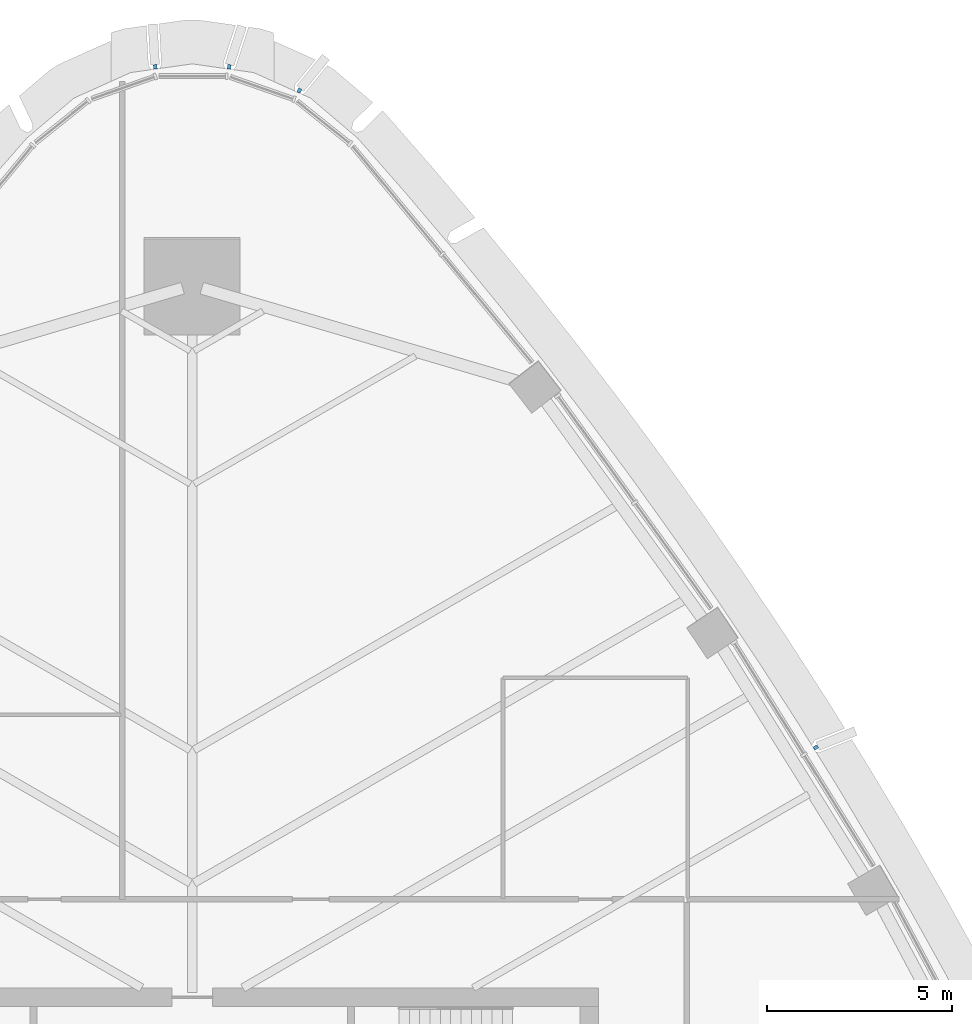
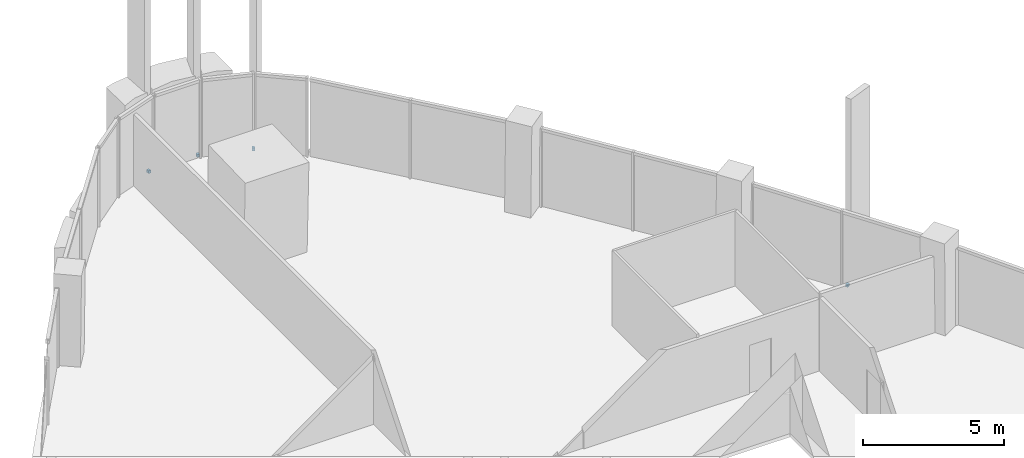
# One storey, part 15 of 19: 4 discrete accessories.
"""IFC4 building model written with IfcOpenShell, lengths in metres."""

from ifc_helpers import new_model, si_unit, direction, frame, origin, origin_2d, place, context, subcontext, project, spatial, rectangle, extrude, material, type_object, element, save


model = new_model("IFC4")

# Units and contexts
model_context = context("Model", 3, precision=1e-05, world=origin(), true_north=direction((0.0, 1.0)))
body_context = subcontext(model_context, "Body", "Model", "MODEL_VIEW")
ifc_project = project(units=[si_unit("LENGTHUNIT", "METRE"), si_unit("AREAUNIT", "SQUARE_METRE"), si_unit("VOLUMEUNIT", "CUBIC_METRE"), si_unit("PLANEANGLEUNIT", "RADIAN"), si_unit("MASSUNIT", "GRAM", prefix="KILO")], contexts=[model_context])

# Site, building, storey
site_placement = place(None, origin())
site = spatial("IfcSite", under=ifc_project, at=site_placement, CompositionType="ELEMENT")
building_placement = place(site_placement, origin())
building = spatial("IfcBuilding", under=site, at=building_placement, Name="Sierra Prisma Convention Tower", CompositionType="ELEMENT")
storey_placement = place(building_placement, frame((0.0, 0.0, 185.800048828125)))
storey = spatial("IfcBuildingStorey", under=building, at=storey_placement, Name="L41", CompositionType="ELEMENT", Elevation=185.800048828125)

# Discrete accessories
ifc_material = material(Name="Stainless steel 316", Category="steel")
discrete_accessory_type = type_object("IfcDiscreteAccessoryType", Name="Fin bracket", PredefinedType="BRACKET", material=ifc_material)
for number, where, z_axis, x_axis, name in (
    (1, (16.89111328125, 14.5166015625, -0.135009765625), (0.0, 0.0, 1.0), (0.849336458648, 0.527851854228, 0.0), "Fin bracket L41.33 base"),
    (2, (2.90087890625, 32.307861328125, -0.135009765625), (0.0, 0.0, 1.0), (0.409702743477, 0.912219086617, 0.0), "Fin bracket L41.41 base"),
    (3, (1.001708984375, 32.951171875, -0.135009765625), (0.0, 0.0, 1.0), (0.140245531256, 0.990116756228, 0.0), "Fin bracket L41.42 base"),
    (4, (-1.001708984375, 32.951171875, -0.135009765625), (0.0, 0.0, 1.0), (-0.140245531256, 0.990116756228, 0.0), "Fin bracket L41.43 base"),
):
    element("IfcDiscreteAccessory", number, at=place(storey_placement, frame(where, z_axis=z_axis, x_axis=x_axis)), inside=storey, type_object=discrete_accessory_type, Name=name, PredefinedType="BRACKET", context=body_context, shape_type="SweptSolid", body=[
        extrude(rectangle(XDim=0.1201171875, YDim=0.10009765625, at=origin_2d()), origin(), (0.0, 0.0, 1.0), 0.1201171875),
    ])

save(model, "model.ifc")
